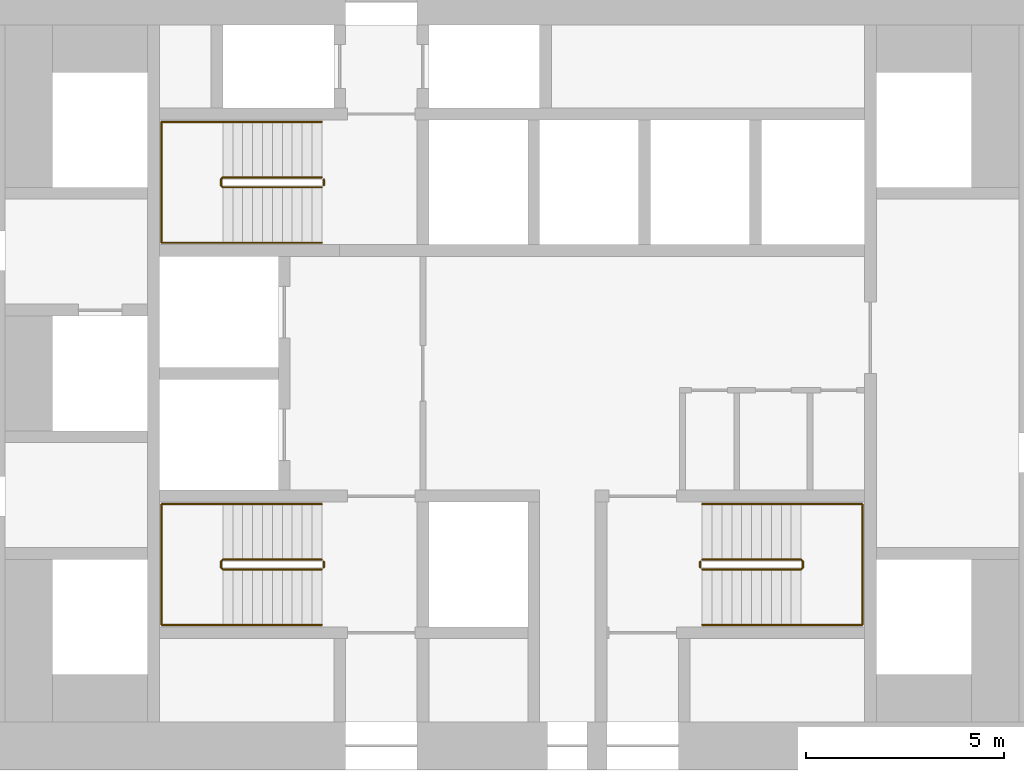
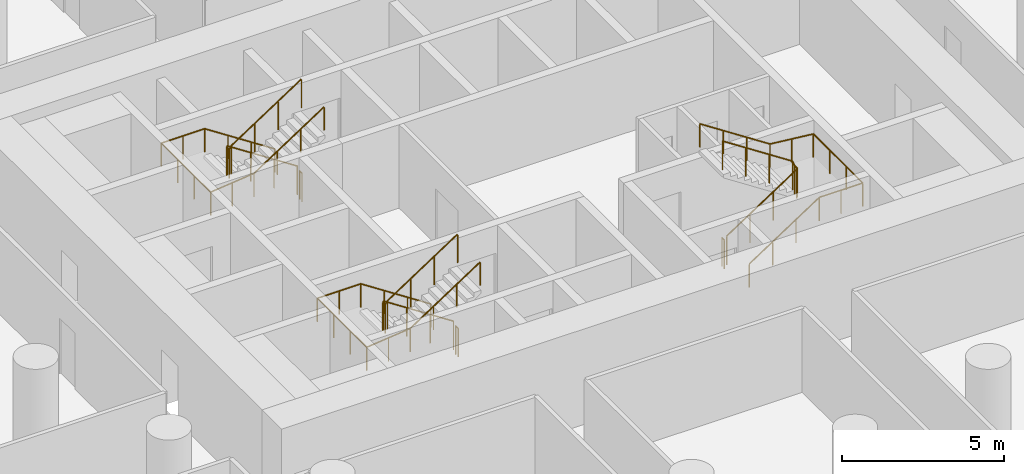
# One storey, part 12 of 12: 9 railings.
"""IFC4 building model written with IfcOpenShell, lengths in metres."""

from ifc_helpers import new_model, si_unit, direction, frame, origin, origin_2d, place, context, subcontext, project, spatial, circle, extrude, material, type_object, element, save


model = new_model("IFC4")

# Units and contexts
model_context = context("Model", 3, precision=1e-05, world=origin(), true_north=direction((0.0, 1.0)))
body_context = subcontext(model_context, "Body", "Model", "MODEL_VIEW")
ifc_project = project(units=[si_unit("LENGTHUNIT", "METRE"), si_unit("AREAUNIT", "SQUARE_METRE"), si_unit("VOLUMEUNIT", "CUBIC_METRE"), si_unit("PLANEANGLEUNIT", "RADIAN"), si_unit("MASSUNIT", "GRAM", prefix="KILO")], contexts=[model_context])

# Site, building, storey
site_placement = place(None, origin())
site = spatial("IfcSite", under=ifc_project, at=site_placement, CompositionType="ELEMENT")
building_placement = place(site_placement, origin())
building = spatial("IfcBuilding", under=site, at=building_placement, Name="Tracery Tower", CompositionType="ELEMENT")
storey_placement = place(building_placement, frame((0.0, 0.0, 85.800048828125)))
storey = spatial("IfcBuildingStorey", under=building, at=storey_placement, Name="L21", CompositionType="ELEMENT", Elevation=85.800048828125)

# Railings
ifc_material_1 = material(Name="Stainless steel and laminated glass", Category="steel")
railing_type_1 = type_object("IfcRailingType", Name="Stair guard 1100", PredefinedType="GUARDRAIL", material=ifc_material_1)
railing_1_placement = place(storey_placement, frame((-4.800048828125, -4.699951171875, 0.16357421875)))
element("IfcRailing", 1, at=railing_1_placement, inside=storey, type_object=railing_type_1, Name="L21 stair ST1 guard 1", PredefinedType="GUARDRAIL", context=body_context, shape_type="SweptSolid", body=[
    extrude(circle(Radius=0.02392578125, at=origin_2d()), frame((0.0, 0.0, 1.076171875), z_axis=(-0.83668449804, 0.0, 0.54768517484), x_axis=(0.0, -1.0, 0.0)), (0.0, 0.0, 1.0), 2.988037109375),
    extrude(circle(Radius=0.02392578125, at=origin_2d()), frame((-2.5, 0.0, 2.71240234375), z_axis=(-0.707106781187, -0.707106781187, 0.0), x_axis=(0.707106781187, -0.707106781187, 0.0)), (0.0, 0.0, 1.0), 0.07080078125),
    extrude(circle(Radius=0.02392578125, at=origin_2d()), frame((-2.550048828125, -0.050048828125, 2.71240234375), z_axis=(0.0, -1.0, 0.0), x_axis=(1.0, 0.0, 0.0)), (0.0, 0.0, 1.0), 0.14990234375),
    extrude(circle(Radius=0.02392578125, at=origin_2d()), frame((-2.550048828125, -0.199951171875, 2.71240234375), z_axis=(0.280808744504, -0.280808744504, 0.917765164963), x_axis=(0.707106781187, 0.707106781187, 0.0)), (0.0, 0.0, 1.0), 0.17822265625),
    extrude(circle(Radius=0.02392578125, at=origin_2d()), frame((-2.5, -0.25, 2.8759765625), z_axis=(0.836721939367, 0.0, 0.547627972425), x_axis=(0.0, 1.0, 0.0)), (0.0, 0.0, 1.0), 2.98779296875),
    extrude(circle(Radius=0.02099609375, at=origin_2d()), origin(), (0.0, 0.0, 1.0), 1.052001953125),
    extrude(circle(Radius=0.02099609375, at=origin_2d()), frame((-0.833251953125, 0.0, 0.54541015625)), (0.0, 0.0, 1.0), 1.052001953125),
    extrude(circle(Radius=0.02099609375, at=origin_2d()), frame((-1.666748046875, 0.0, 1.091064453125)), (0.0, 0.0, 1.0), 1.052001953125),
    extrude(circle(Radius=0.02099609375, at=origin_2d()), frame((-2.5, 0.0, 1.636474609375)), (0.0, 0.0, 1.0), 1.052001953125),
    extrude(circle(Radius=0.02099609375, at=origin_2d()), frame((-2.550048828125, -0.050048828125, 1.636474609375)), (0.0, 0.0, 1.0), 1.052001953125),
    extrude(circle(Radius=0.02099609375, at=origin_2d()), frame((-2.550048828125, -0.199951171875, 1.636474609375)), (0.0, 0.0, 1.0), 1.052001953125),
    extrude(circle(Radius=0.02099609375, at=origin_2d()), frame((-2.5, -0.25, 1.800048828125)), (0.0, 0.0, 1.0), 1.052001953125),
    extrude(circle(Radius=0.02099609375, at=origin_2d()), frame((-1.666748046875, -0.25, 2.345458984375)), (0.0, 0.0, 1.0), 1.052001953125),
    extrude(circle(Radius=0.02099609375, at=origin_2d()), frame((-0.833251953125, -0.25, 2.890869140625)), (0.0, 0.0, 1.0), 1.052001953125),
    extrude(circle(Radius=0.02099609375, at=origin_2d()), frame((0.0, -0.25, 3.436279296875)), (0.0, 0.0, 1.0), 1.052001953125),
])
railing_2_placement = place(storey_placement, frame((-4.75, -4.75, 0.0)))
element("IfcRailing", 2, at=railing_2_placement, inside=storey, type_object=railing_type_1, Name="L21 stair ST1 guard 2", PredefinedType="GUARDRAIL", context=body_context, shape_type="SweptSolid", body=[
    extrude(circle(Radius=0.02392578125, at=origin_2d()), frame((0.0, 0.0, 1.076171875), z_axis=(0.0, -1.0, 0.0), x_axis=(1.0, 0.0, 0.0)), (0.0, 0.0, 1.0), 0.14990234375),
    extrude(circle(Radius=0.02099609375, at=origin_2d()), origin(), (0.0, 0.0, 1.0), 1.052001953125),
    extrude(circle(Radius=0.02099609375, at=origin_2d()), frame((0.0, -0.14990234375, 0.0)), (0.0, 0.0, 1.0), 1.052001953125),
])
railing_3_placement = place(storey_placement, frame((-4.800048828125, 4.949951171875, 0.16357421875)))
element("IfcRailing", 3, at=railing_3_placement, inside=storey, type_object=railing_type_1, Name="L21 stair ST3 guard 1", PredefinedType="GUARDRAIL", context=body_context, shape_type="SweptSolid", body=[
    extrude(circle(Radius=0.02392578125, at=origin_2d()), frame((0.0, 0.0, 1.076171875), z_axis=(-0.83668449804, 0.0, 0.54768517484), x_axis=(0.0, -1.0, 0.0)), (0.0, 0.0, 1.0), 2.988037109375),
    extrude(circle(Radius=0.02392578125, at=origin_2d()), frame((-2.5, 0.0, 2.71240234375), z_axis=(-0.707106781187, -0.707106781187, 0.0), x_axis=(0.707106781187, -0.707106781187, 0.0)), (0.0, 0.0, 1.0), 0.07080078125),
    extrude(circle(Radius=0.02392578125, at=origin_2d()), frame((-2.550048828125, -0.050048828125, 2.71240234375), z_axis=(0.0, -1.0, 0.0), x_axis=(1.0, 0.0, 0.0)), (0.0, 0.0, 1.0), 0.14990234375),
    extrude(circle(Radius=0.02392578125, at=origin_2d()), frame((-2.550048828125, -0.199951171875, 2.71240234375), z_axis=(0.280808744504, -0.280808744504, 0.917765164963), x_axis=(0.707106781187, 0.707106781187, 0.0)), (0.0, 0.0, 1.0), 0.17822265625),
    extrude(circle(Radius=0.02392578125, at=origin_2d()), frame((-2.5, -0.25, 2.8759765625), z_axis=(0.836721939367, 0.0, 0.547627972425), x_axis=(0.0, 1.0, 0.0)), (0.0, 0.0, 1.0), 2.98779296875),
    extrude(circle(Radius=0.02099609375, at=origin_2d()), origin(), (0.0, 0.0, 1.0), 1.052001953125),
    extrude(circle(Radius=0.02099609375, at=origin_2d()), frame((-0.833251953125, 0.0, 0.54541015625)), (0.0, 0.0, 1.0), 1.052001953125),
    extrude(circle(Radius=0.02099609375, at=origin_2d()), frame((-1.666748046875, 0.0, 1.091064453125)), (0.0, 0.0, 1.0), 1.052001953125),
    extrude(circle(Radius=0.02099609375, at=origin_2d()), frame((-2.5, 0.0, 1.636474609375)), (0.0, 0.0, 1.0), 1.052001953125),
    extrude(circle(Radius=0.02099609375, at=origin_2d()), frame((-2.550048828125, -0.050048828125, 1.636474609375)), (0.0, 0.0, 1.0), 1.052001953125),
    extrude(circle(Radius=0.02099609375, at=origin_2d()), frame((-2.550048828125, -0.199951171875, 1.636474609375)), (0.0, 0.0, 1.0), 1.052001953125),
    extrude(circle(Radius=0.02099609375, at=origin_2d()), frame((-2.5, -0.25, 1.800048828125)), (0.0, 0.0, 1.0), 1.052001953125),
    extrude(circle(Radius=0.02099609375, at=origin_2d()), frame((-1.666748046875, -0.25, 2.345458984375)), (0.0, 0.0, 1.0), 1.052001953125),
    extrude(circle(Radius=0.02099609375, at=origin_2d()), frame((-0.833251953125, -0.25, 2.890869140625)), (0.0, 0.0, 1.0), 1.052001953125),
    extrude(circle(Radius=0.02099609375, at=origin_2d()), frame((0.0, -0.25, 3.436279296875)), (0.0, 0.0, 1.0), 1.052001953125),
])
railing_4_placement = place(storey_placement, frame((-4.75, 4.89990234375, 0.0)))
element("IfcRailing", 4, at=railing_4_placement, inside=storey, type_object=railing_type_1, Name="L21 stair ST3 guard 2", PredefinedType="GUARDRAIL", context=body_context, shape_type="SweptSolid", body=[
    extrude(circle(Radius=0.02392578125, at=origin_2d()), frame((0.0, 0.0, 1.076171875), z_axis=(0.0, -1.0, 0.0), x_axis=(1.0, 0.0, 0.0)), (0.0, 0.0, 1.0), 0.14990234375),
    extrude(circle(Radius=0.02099609375, at=origin_2d()), origin(), (0.0, 0.0, 1.0), 1.052001953125),
    extrude(circle(Radius=0.02099609375, at=origin_2d()), frame((0.0, -0.14990234375, 0.0)), (0.0, 0.0, 1.0), 1.052001953125),
])
railing_5_placement = place(storey_placement, frame((4.800048828125, -4.949951171875, 0.16357421875)))
element("IfcRailing", 5, at=railing_5_placement, inside=storey, type_object=railing_type_1, Name="L21 stair ST2 guard 1", PredefinedType="GUARDRAIL", context=body_context, shape_type="SweptSolid", body=[
    extrude(circle(Radius=0.02392578125, at=origin_2d()), frame((0.0, 0.0, 1.076171875), z_axis=(0.83668449804, 0.0, 0.54768517484), x_axis=(0.0, 1.0, 0.0)), (0.0, 0.0, 1.0), 2.988037109375),
    extrude(circle(Radius=0.02392578125, at=origin_2d()), frame((2.5, 0.0, 2.71240234375), z_axis=(0.707106781187, 0.707106781187, 0.0), x_axis=(-0.707106781187, 0.707106781187, 0.0)), (0.0, 0.0, 1.0), 0.07080078125),
    extrude(circle(Radius=0.02392578125, at=origin_2d()), frame((2.550048828125, 0.050048828125, 2.71240234375), z_axis=(0.0, 1.0, 0.0), x_axis=(-1.0, 0.0, 0.0)), (0.0, 0.0, 1.0), 0.14990234375),
    extrude(circle(Radius=0.02392578125, at=origin_2d()), frame((2.550048828125, 0.199951171875, 2.71240234375), z_axis=(-0.280808744504, 0.280808744504, 0.917765164963), x_axis=(-0.707106781187, -0.707106781187, 0.0)), (0.0, 0.0, 1.0), 0.17822265625),
    extrude(circle(Radius=0.02392578125, at=origin_2d()), frame((2.5, 0.25, 2.8759765625), z_axis=(-0.836721939367, 0.0, 0.547627972425), x_axis=(0.0, -1.0, 0.0)), (0.0, 0.0, 1.0), 2.98779296875),
    extrude(circle(Radius=0.02099609375, at=origin_2d()), origin(), (0.0, 0.0, 1.0), 1.052001953125),
    extrude(circle(Radius=0.02099609375, at=origin_2d()), frame((0.833251953125, 0.0, 0.54541015625)), (0.0, 0.0, 1.0), 1.052001953125),
    extrude(circle(Radius=0.02099609375, at=origin_2d()), frame((1.666748046875, 0.0, 1.091064453125)), (0.0, 0.0, 1.0), 1.052001953125),
    extrude(circle(Radius=0.02099609375, at=origin_2d()), frame((2.5, 0.0, 1.636474609375)), (0.0, 0.0, 1.0), 1.052001953125),
    extrude(circle(Radius=0.02099609375, at=origin_2d()), frame((2.550048828125, 0.050048828125, 1.636474609375)), (0.0, 0.0, 1.0), 1.052001953125),
    extrude(circle(Radius=0.02099609375, at=origin_2d()), frame((2.550048828125, 0.199951171875, 1.636474609375)), (0.0, 0.0, 1.0), 1.052001953125),
    extrude(circle(Radius=0.02099609375, at=origin_2d()), frame((2.5, 0.25, 1.800048828125)), (0.0, 0.0, 1.0), 1.052001953125),
    extrude(circle(Radius=0.02099609375, at=origin_2d()), frame((1.666748046875, 0.25, 2.345458984375)), (0.0, 0.0, 1.0), 1.052001953125),
    extrude(circle(Radius=0.02099609375, at=origin_2d()), frame((0.833251953125, 0.25, 2.890869140625)), (0.0, 0.0, 1.0), 1.052001953125),
    extrude(circle(Radius=0.02099609375, at=origin_2d()), frame((0.0, 0.25, 3.436279296875)), (0.0, 0.0, 1.0), 1.052001953125),
])
railing_6_placement = place(storey_placement, frame((4.75, -4.89990234375, 0.0)))
element("IfcRailing", 6, at=railing_6_placement, inside=storey, type_object=railing_type_1, Name="L21 stair ST2 guard 2", PredefinedType="GUARDRAIL", context=body_context, shape_type="SweptSolid", body=[
    extrude(circle(Radius=0.02392578125, at=origin_2d()), frame((0.0, 0.0, 1.076171875), z_axis=(0.0, 1.0, 0.0), x_axis=(-1.0, 0.0, 0.0)), (0.0, 0.0, 1.0), 0.14990234375),
    extrude(circle(Radius=0.02099609375, at=origin_2d()), origin(), (0.0, 0.0, 1.0), 1.052001953125),
    extrude(circle(Radius=0.02099609375, at=origin_2d()), frame((0.0, 0.14990234375, 0.0)), (0.0, 0.0, 1.0), 1.052001953125),
])
ifc_material_2 = material(Name="Stainless steel and laminated glass", Category="steel")
railing_type_2 = type_object("IfcRailingType", Name="Stair handrail 900", PredefinedType="HANDRAIL", material=ifc_material_2)
railing_7_placement = place(storey_placement, frame((-4.800048828125, -3.300048828125, 0.16357421875)))
element("IfcRailing", 7, at=railing_7_placement, inside=storey, type_object=railing_type_2, Name="L21 stair ST1 handrail 1", PredefinedType="HANDRAIL", context=body_context, shape_type="SweptSolid", body=[
    extrude(circle(Radius=0.02392578125, at=origin_2d()), frame((0.0, 0.0, 0.8759765625), z_axis=(-0.83668449804, 0.0, 0.54768517484), x_axis=(0.0, -1.0, 0.0)), (0.0, 0.0, 1.0), 2.988037109375),
    extrude(circle(Radius=0.02392578125, at=origin_2d()), frame((-2.5, 0.0, 2.51220703125), z_axis=(-1.0, 0.0, 0.0), x_axis=(0.0, -1.0, 0.0)), (0.0, 0.0, 1.0), 1.550048828125),
    extrude(circle(Radius=0.02392578125, at=origin_2d()), frame((-4.050048828125, 0.0, 2.51220703125), z_axis=(0.0, -1.0, 0.0), x_axis=(1.0, 0.0, 0.0)), (0.0, 0.0, 1.0), 3.050048828125),
    extrude(circle(Radius=0.02392578125, at=origin_2d()), frame((-4.050048828125, -3.050048828125, 2.51220703125), z_axis=(0.994477953863, 0.0, 0.104945696817), x_axis=(0.0, 1.0, 0.0)), (0.0, 0.0, 1.0), 1.55859375),
    extrude(circle(Radius=0.02392578125, at=origin_2d()), frame((-2.5, -3.050048828125, 2.67578125), z_axis=(0.836721939367, 0.0, 0.547627972425), x_axis=(0.0, 1.0, 0.0)), (0.0, 0.0, 1.0), 2.98779296875),
    extrude(circle(Radius=0.02099609375, at=origin_2d()), origin(), (0.0, 0.0, 1.0), 0.851806640625),
    extrude(circle(Radius=0.02099609375, at=origin_2d()), frame((-0.833251953125, 0.0, 0.54541015625)), (0.0, 0.0, 1.0), 0.851806640625),
    extrude(circle(Radius=0.02099609375, at=origin_2d()), frame((-1.666748046875, 0.0, 1.091064453125)), (0.0, 0.0, 1.0), 0.851806640625),
    extrude(circle(Radius=0.02099609375, at=origin_2d()), frame((-2.5, 0.0, 1.636474609375)), (0.0, 0.0, 1.0), 0.851806640625),
    extrude(circle(Radius=0.02099609375, at=origin_2d()), frame((-3.27490234375, 0.0, 1.636474609375)), (0.0, 0.0, 1.0), 0.851806640625),
    extrude(circle(Radius=0.02099609375, at=origin_2d()), frame((-4.050048828125, 0.0, 1.636474609375)), (0.0, 0.0, 1.0), 0.851806640625),
    extrude(circle(Radius=0.02099609375, at=origin_2d()), frame((-4.050048828125, -1.0166015625, 1.636474609375)), (0.0, 0.0, 1.0), 0.851806640625),
    extrude(circle(Radius=0.02099609375, at=origin_2d()), frame((-4.050048828125, -2.033447265625, 1.636474609375)), (0.0, 0.0, 1.0), 0.851806640625),
    extrude(circle(Radius=0.02099609375, at=origin_2d()), frame((-4.050048828125, -3.050048828125, 1.636474609375)), (0.0, 0.0, 1.0), 0.851806640625),
    extrude(circle(Radius=0.02099609375, at=origin_2d()), frame((-3.27490234375, -3.050048828125, 1.71826171875)), (0.0, 0.0, 1.0), 0.851806640625),
    extrude(circle(Radius=0.02099609375, at=origin_2d()), frame((-2.5, -3.050048828125, 1.800048828125)), (0.0, 0.0, 1.0), 0.851806640625),
    extrude(circle(Radius=0.02099609375, at=origin_2d()), frame((-1.666748046875, -3.050048828125, 2.345458984375)), (0.0, 0.0, 1.0), 0.851806640625),
    extrude(circle(Radius=0.02099609375, at=origin_2d()), frame((-0.833251953125, -3.050048828125, 2.890869140625)), (0.0, 0.0, 1.0), 0.851806640625),
    extrude(circle(Radius=0.02099609375, at=origin_2d()), frame((0.0, -3.050048828125, 3.436279296875)), (0.0, 0.0, 1.0), 0.851806640625),
])
railing_8_placement = place(storey_placement, frame((-4.800048828125, 6.35009765625, 0.16357421875)))
element("IfcRailing", 8, at=railing_8_placement, inside=storey, type_object=railing_type_2, Name="L21 stair ST3 handrail 1", PredefinedType="HANDRAIL", context=body_context, shape_type="SweptSolid", body=[
    extrude(circle(Radius=0.02392578125, at=origin_2d()), frame((0.0, 0.0, 0.8759765625), z_axis=(-0.83668449804, 0.0, 0.54768517484), x_axis=(0.0, -1.0, 0.0)), (0.0, 0.0, 1.0), 2.988037109375),
    extrude(circle(Radius=0.02392578125, at=origin_2d()), frame((-2.5, 0.0, 2.51220703125), z_axis=(-1.0, 0.0, 0.0), x_axis=(0.0, -1.0, 0.0)), (0.0, 0.0, 1.0), 1.550048828125),
    extrude(circle(Radius=0.02392578125, at=origin_2d()), frame((-4.050048828125, 0.0, 2.51220703125), z_axis=(0.0, -1.0, 0.0), x_axis=(1.0, 0.0, 0.0)), (0.0, 0.0, 1.0), 3.050048828125),
    extrude(circle(Radius=0.02392578125, at=origin_2d()), frame((-4.050048828125, -3.050048828125, 2.51220703125), z_axis=(0.994477953863, 0.0, 0.104945696817), x_axis=(0.0, 1.0, 0.0)), (0.0, 0.0, 1.0), 1.55859375),
    extrude(circle(Radius=0.02392578125, at=origin_2d()), frame((-2.5, -3.050048828125, 2.67578125), z_axis=(0.836721939367, 0.0, 0.547627972425), x_axis=(0.0, 1.0, 0.0)), (0.0, 0.0, 1.0), 2.98779296875),
    extrude(circle(Radius=0.02099609375, at=origin_2d()), origin(), (0.0, 0.0, 1.0), 0.851806640625),
    extrude(circle(Radius=0.02099609375, at=origin_2d()), frame((-0.833251953125, 0.0, 0.54541015625)), (0.0, 0.0, 1.0), 0.851806640625),
    extrude(circle(Radius=0.02099609375, at=origin_2d()), frame((-1.666748046875, 0.0, 1.091064453125)), (0.0, 0.0, 1.0), 0.851806640625),
    extrude(circle(Radius=0.02099609375, at=origin_2d()), frame((-2.5, 0.0, 1.636474609375)), (0.0, 0.0, 1.0), 0.851806640625),
    extrude(circle(Radius=0.02099609375, at=origin_2d()), frame((-3.27490234375, 0.0, 1.636474609375)), (0.0, 0.0, 1.0), 0.851806640625),
    extrude(circle(Radius=0.02099609375, at=origin_2d()), frame((-4.050048828125, 0.0, 1.636474609375)), (0.0, 0.0, 1.0), 0.851806640625),
    extrude(circle(Radius=0.02099609375, at=origin_2d()), frame((-4.050048828125, -1.0166015625, 1.636474609375)), (0.0, 0.0, 1.0), 0.851806640625),
    extrude(circle(Radius=0.02099609375, at=origin_2d()), frame((-4.050048828125, -2.033447265625, 1.636474609375)), (0.0, 0.0, 1.0), 0.851806640625),
    extrude(circle(Radius=0.02099609375, at=origin_2d()), frame((-4.050048828125, -3.050048828125, 1.636474609375)), (0.0, 0.0, 1.0), 0.851806640625),
    extrude(circle(Radius=0.02099609375, at=origin_2d()), frame((-3.27490234375, -3.050048828125, 1.71826171875)), (0.0, 0.0, 1.0), 0.851806640625),
    extrude(circle(Radius=0.02099609375, at=origin_2d()), frame((-2.5, -3.050048828125, 1.800048828125)), (0.0, 0.0, 1.0), 0.851806640625),
    extrude(circle(Radius=0.02099609375, at=origin_2d()), frame((-1.666748046875, -3.050048828125, 2.345458984375)), (0.0, 0.0, 1.0), 0.851806640625),
    extrude(circle(Radius=0.02099609375, at=origin_2d()), frame((-0.833251953125, -3.050048828125, 2.890869140625)), (0.0, 0.0, 1.0), 0.851806640625),
    extrude(circle(Radius=0.02099609375, at=origin_2d()), frame((0.0, -3.050048828125, 3.436279296875)), (0.0, 0.0, 1.0), 0.851806640625),
])
railing_9_placement = place(storey_placement, frame((4.800048828125, -6.35009765625, 0.16357421875)))
element("IfcRailing", 9, at=railing_9_placement, inside=storey, type_object=railing_type_2, Name="L21 stair ST2 handrail 1", PredefinedType="HANDRAIL", context=body_context, shape_type="SweptSolid", body=[
    extrude(circle(Radius=0.02392578125, at=origin_2d()), frame((0.0, 0.0, 0.8759765625), z_axis=(0.83668449804, 0.0, 0.54768517484), x_axis=(0.0, 1.0, 0.0)), (0.0, 0.0, 1.0), 2.988037109375),
    extrude(circle(Radius=0.02392578125, at=origin_2d()), frame((2.5, 0.0, 2.51220703125), z_axis=(1.0, 0.0, 0.0), x_axis=(0.0, 1.0, 0.0)), (0.0, 0.0, 1.0), 1.550048828125),
    extrude(circle(Radius=0.02392578125, at=origin_2d()), frame((4.050048828125, 0.0, 2.51220703125), z_axis=(0.0, 1.0, 0.0), x_axis=(-1.0, 0.0, 0.0)), (0.0, 0.0, 1.0), 3.050048828125),
    extrude(circle(Radius=0.02392578125, at=origin_2d()), frame((4.050048828125, 3.050048828125, 2.51220703125), z_axis=(-0.994477953863, 0.0, 0.104945696817), x_axis=(0.0, -1.0, 0.0)), (0.0, 0.0, 1.0), 1.55859375),
    extrude(circle(Radius=0.02392578125, at=origin_2d()), frame((2.5, 3.050048828125, 2.67578125), z_axis=(-0.836721939367, 0.0, 0.547627972425), x_axis=(0.0, -1.0, 0.0)), (0.0, 0.0, 1.0), 2.98779296875),
    extrude(circle(Radius=0.02099609375, at=origin_2d()), origin(), (0.0, 0.0, 1.0), 0.851806640625),
    extrude(circle(Radius=0.02099609375, at=origin_2d()), frame((0.833251953125, 0.0, 0.54541015625)), (0.0, 0.0, 1.0), 0.851806640625),
    extrude(circle(Radius=0.02099609375, at=origin_2d()), frame((1.666748046875, 0.0, 1.091064453125)), (0.0, 0.0, 1.0), 0.851806640625),
    extrude(circle(Radius=0.02099609375, at=origin_2d()), frame((2.5, 0.0, 1.636474609375)), (0.0, 0.0, 1.0), 0.851806640625),
    extrude(circle(Radius=0.02099609375, at=origin_2d()), frame((3.27490234375, 0.0, 1.636474609375)), (0.0, 0.0, 1.0), 0.851806640625),
    extrude(circle(Radius=0.02099609375, at=origin_2d()), frame((4.050048828125, 0.0, 1.636474609375)), (0.0, 0.0, 1.0), 0.851806640625),
    extrude(circle(Radius=0.02099609375, at=origin_2d()), frame((4.050048828125, 1.0166015625, 1.636474609375)), (0.0, 0.0, 1.0), 0.851806640625),
    extrude(circle(Radius=0.02099609375, at=origin_2d()), frame((4.050048828125, 2.033447265625, 1.636474609375)), (0.0, 0.0, 1.0), 0.851806640625),
    extrude(circle(Radius=0.02099609375, at=origin_2d()), frame((4.050048828125, 3.050048828125, 1.636474609375)), (0.0, 0.0, 1.0), 0.851806640625),
    extrude(circle(Radius=0.02099609375, at=origin_2d()), frame((3.27490234375, 3.050048828125, 1.71826171875)), (0.0, 0.0, 1.0), 0.851806640625),
    extrude(circle(Radius=0.02099609375, at=origin_2d()), frame((2.5, 3.050048828125, 1.800048828125)), (0.0, 0.0, 1.0), 0.851806640625),
    extrude(circle(Radius=0.02099609375, at=origin_2d()), frame((1.666748046875, 3.050048828125, 2.345458984375)), (0.0, 0.0, 1.0), 0.851806640625),
    extrude(circle(Radius=0.02099609375, at=origin_2d()), frame((0.833251953125, 3.050048828125, 2.890869140625)), (0.0, 0.0, 1.0), 0.851806640625),
    extrude(circle(Radius=0.02099609375, at=origin_2d()), frame((0.0, 3.050048828125, 3.436279296875)), (0.0, 0.0, 1.0), 0.851806640625),
])

save(model, "model.ifc")
